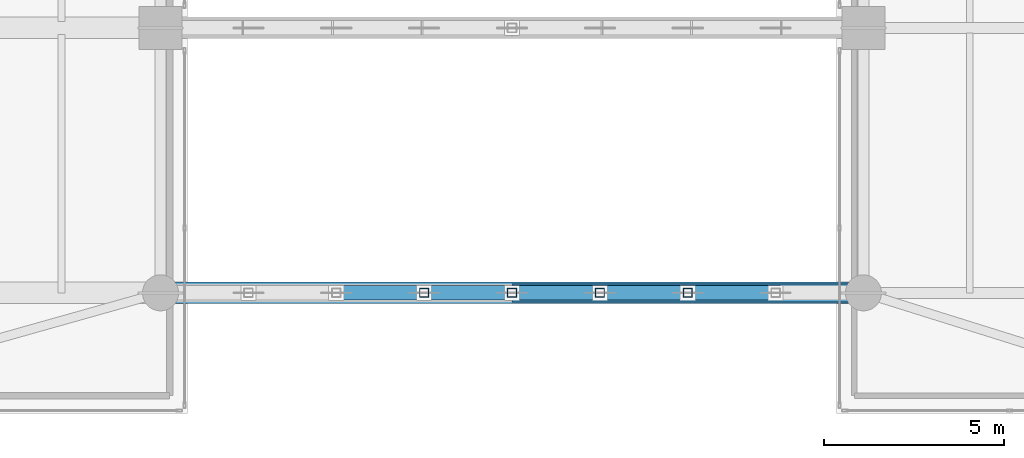
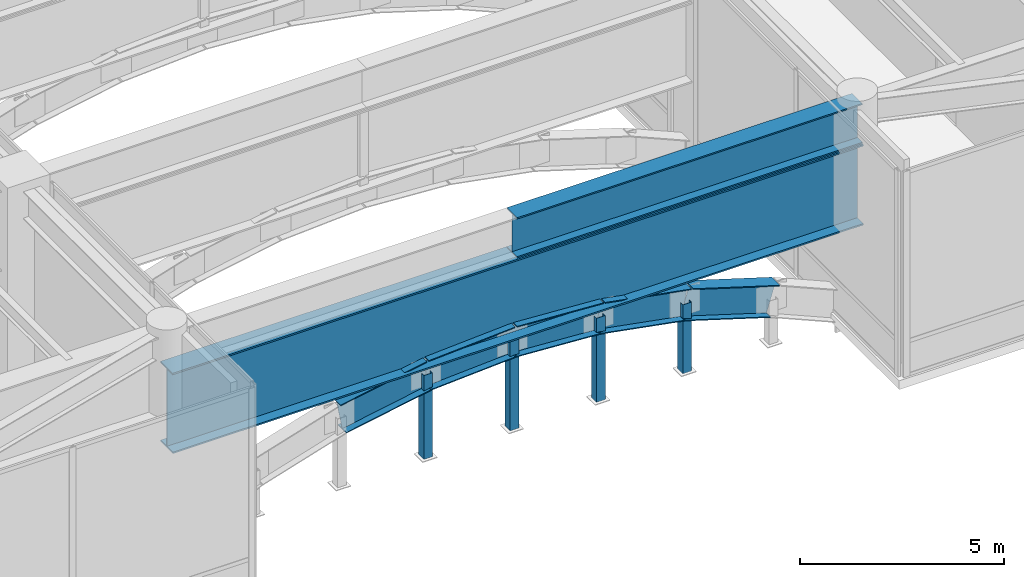
# One storey, part 17 of 50: 7 beams, 4 members.
"""IFC4 building model written with IfcOpenShell, lengths in metres."""

from ifc_helpers import new_model, si_unit, direction, frame, origin, origin_2d, place, context, subcontext, project, spatial, hollow_rectangle, i_section, extrude, source, transform, mapped, material, material_profile, profile_set, type_object, type_shapes, element, save


model = new_model("IFC4")

# Units and contexts
model_context = context("Model", 3, precision=1e-05, world=origin(), true_north=direction((0.0, 1.0)))
body_context = subcontext(model_context, "Body", "Model", "MODEL_VIEW")
ifc_project = project(units=[si_unit("LENGTHUNIT", "METRE"), si_unit("AREAUNIT", "SQUARE_METRE"), si_unit("VOLUMEUNIT", "CUBIC_METRE"), si_unit("PLANEANGLEUNIT", "RADIAN"), si_unit("MASSUNIT", "GRAM", prefix="KILO")], contexts=[model_context])

# Site, building, storey
site_placement = place(None, origin())
site = spatial("IfcSite", under=ifc_project, at=site_placement, CompositionType="ELEMENT")
building_placement = place(site_placement, origin())
building = spatial("IfcBuilding", under=site, at=building_placement, Name="Tolvann Quenvar Hotel", CompositionType="ELEMENT")
storey_placement = place(building_placement, frame((0.0, 0.0, 16.0)))
storey = spatial("IfcBuildingStorey", under=building, at=storey_placement, Name="L03", CompositionType="ELEMENT", Elevation=16.0)

# Beams
ifc_material_1 = material(Name="Steel Grade 350", Category="steel")
ifc_material_profile_1 = material_profile(ifc_material_1, i_section(OverallWidth=0.5, OverallDepth=1.199951171875, WebThickness=0.01611328125, FlangeThickness=0.0400390625, at=origin_2d()), Name="1200WB455")
ifc_profile_set_1 = profile_set([ifc_material_profile_1], Name="Steel Grade 350")
beam_type_1 = type_object("IfcBeamType", Name="BM_TG_1200WB455", PredefinedType="USERDEFINED", material=ifc_profile_set_1)
shared_shape_1 = source(origin(), body_context, "Body", "SweptSolid", [
    extrude(i_section(OverallWidth=0.5, OverallDepth=1.199951171875, WebThickness=0.01611328125, FlangeThickness=0.0400390625, at=origin_2d()), origin(), (0.0, 0.0, 1.0), 9.75),
])
type_shapes(beam_type_1, [shared_shape_1])
beam_1_placement = place(storey_placement, frame((28.5, 0.85009765625, 5.5400390625), z_axis=(1.0, 0.0, 0.0), x_axis=(0.0, 1.0, 0.0)))
element("IfcBeam", 1, at=beam_1_placement, inside=storey, type_object=beam_type_1, Name="TG-AUTO2-L03-PARCHS-1", ObjectType="TRANSFER GIRDER", PredefinedType="USERDEFINED", context=body_context, shape_type="MappedRepresentation", body=[
    mapped(shared_shape_1, transform((0.0, 0.0, 0.0), x_axis=(1.0, 0.0, 0.0), y_axis=(0.0, 1.0, 0.0), z_axis=(0.0, 0.0, 1.0), scale=1.0)),
])
ifc_material_profile_2 = material_profile(ifc_material_1, i_section(OverallWidth=0.60009765625, OverallDepth=2.39990234375, WebThickness=0.02001953125, FlangeThickness=0.044921875, at=origin_2d()), Name="2400WB655")
ifc_profile_set_2 = profile_set([ifc_material_profile_2], Name="Steel Grade 350")
beam_type_2 = type_object("IfcBeamType", Name="BM_TG_2400WB655", PredefinedType="USERDEFINED", material=ifc_profile_set_2)
shared_shape_2 = source(origin(), body_context, "Body", "SweptSolid", [
    extrude(i_section(OverallWidth=0.60009765625, OverallDepth=2.39990234375, WebThickness=0.02001953125, FlangeThickness=0.044921875, at=origin_2d()), origin(), (0.0, 0.0, 1.0), 19.5),
])
type_shapes(beam_type_2, [shared_shape_2])
beam_2_placement = place(storey_placement, frame((18.75, 0.85009765625, 3.739990234375), z_axis=(1.0, 0.0, 0.0), x_axis=(0.0, 1.0, 0.0)))
element("IfcBeam", 2, at=beam_2_placement, inside=storey, type_object=beam_type_2, Name="BM-L03-ACAR-1", ObjectType="TRANSFER GIRDER", PredefinedType="USERDEFINED", context=body_context, shape_type="MappedRepresentation", body=[
    mapped(shared_shape_2, transform((0.0, 0.0, 0.0), x_axis=(1.0, 0.0, 0.0), y_axis=(0.0, 1.0, 0.0), z_axis=(0.0, 0.0, 1.0), scale=1.0)),
])
ifc_material_profile_3 = material_profile(ifc_material_1, i_section(OverallWidth=0.39990234375, OverallDepth=0.916015625, WebThickness=0.011962890625, FlangeThickness=0.028076171875, at=origin_2d()), Name="900WB257")
ifc_profile_set_3 = profile_set([ifc_material_profile_3], Name="Steel Grade 350")
beam_type_3 = type_object("IfcBeamType", Name="BM_ARCH_900WB257", PredefinedType="USERDEFINED", material=ifc_profile_set_3)
shared_shape_3 = source(origin(), body_context, "Body", "SweptSolid", [
    extrude(i_section(OverallWidth=0.39990234375, OverallDepth=0.916015625, WebThickness=0.011962890625, FlangeThickness=0.028076171875, at=origin_2d()), origin(), (0.0, 0.0, 1.0), 2.55029296875),
])
beam_3_placement = place(storey_placement, frame((33.375, 0.85009765625, 1.800048828125), z_axis=(0.955779008722, 0.0, -0.294085848838), x_axis=(0.0, 1.0, 0.0)))
element("IfcBeam", 3, at=beam_3_placement, inside=storey, type_object=beam_type_3, Name="Podium Parabolic Arch Rib F1-S7", ObjectType="ARCH RIB", PredefinedType="USERDEFINED", context=body_context, shape_type="MappedRepresentation", body=[
    mapped(shared_shape_3, transform((0.0, 0.0, 0.0), x_axis=(1.0, 0.0, 0.0), y_axis=(0.0, 1.0, 0.0), z_axis=(0.0, 0.0, 1.0), scale=1.0)),
])
shared_shape_4 = source(origin(), body_context, "Body", "SweptSolid", [
    extrude(i_section(OverallWidth=0.39990234375, OverallDepth=0.916015625, WebThickness=0.011962890625, FlangeThickness=0.028076171875, at=origin_2d()), origin(), (0.0, 0.0, 1.0), 2.478759765625),
])
for number, where, z_axis, x_axis, name in (
    (4, (23.625, 0.85009765625, 1.800048828125), (0.983385697118, 0.0, 0.181528429466), (0.0, 1.0, 0.0), "Podium Parabolic Arch Rib F1-S3"),
    (5, (30.9375, 0.85009765625, 2.25), (0.983385697118, 0.0, -0.181528429466), (0.0, 1.0, 0.0), "Podium Parabolic Arch Rib F1-S6"),
):
    element("IfcBeam", number, at=place(storey_placement, frame(where, z_axis=z_axis, x_axis=x_axis)), inside=storey, type_object=beam_type_3, Name=name, ObjectType="ARCH RIB", PredefinedType="USERDEFINED", context=body_context, shape_type="MappedRepresentation", body=[
        mapped(shared_shape_4, transform((0.0, 0.0, 0.0), x_axis=(1.0, 0.0, 0.0), y_axis=(0.0, 1.0, 0.0), z_axis=(0.0, 0.0, 1.0), scale=1.0)),
    ])
shared_shape_5 = source(origin(), body_context, "Body", "SweptSolid", [
    extrude(i_section(OverallWidth=0.39990234375, OverallDepth=0.916015625, WebThickness=0.011962890625, FlangeThickness=0.028076171875, at=origin_2d()), origin(), (0.0, 0.0, 1.0), 2.442138671875),
])
type_shapes(beam_type_3, [shared_shape_3, shared_shape_4, shared_shape_5])
for number, where, z_axis, x_axis, name in (
    (6, (26.0625, 0.85009765625, 2.25), (0.998114320678, 0.0, 0.06138243118), (0.0, 1.0, 0.0), "Podium Parabolic Arch Rib F1-S4"),
    (7, (28.5, 0.85009765625, 2.39990234375), (0.998114320678, 0.0, -0.06138243118), (0.0, 1.0, 0.0), "Podium Parabolic Arch Rib F1-S5"),
):
    element("IfcBeam", number, at=place(storey_placement, frame(where, z_axis=z_axis, x_axis=x_axis)), inside=storey, type_object=beam_type_3, Name=name, ObjectType="ARCH RIB", PredefinedType="USERDEFINED", context=body_context, shape_type="MappedRepresentation", body=[
        mapped(shared_shape_5, transform((0.0, 0.0, 0.0), x_axis=(1.0, 0.0, 0.0), y_axis=(0.0, 1.0, 0.0), z_axis=(0.0, 0.0, 1.0), scale=1.0)),
    ])

# Members
ifc_material_2 = material(Name="Steel Grade 450 (C450L0)", Category="steel")
ifc_material_profile_4 = material_profile(ifc_material_2, hollow_rectangle(XDim=0.25, YDim=0.25, WallThickness=0.010009765625, at=origin_2d()), Name="250x250x10SHS")
ifc_profile_set_4 = profile_set([ifc_material_profile_4], Name="Steel Grade 450 (C450L0)")
member_type = type_object("IfcMemberType", Name="MEM_POST_250SHS", PredefinedType="POST", material=ifc_profile_set_4)
shared_shape_6 = source(origin(), body_context, "Body", "SweptSolid", [
    extrude(hollow_rectangle(XDim=0.25, YDim=0.25, WallThickness=0.010009765625, at=origin_2d()), origin(), (0.0, 0.0, 1.0), 2.06005859375),
])
member_1_placement = place(storey_placement, frame((33.375, 0.85009765625, -0.260009765625), z_axis=(0.0, 0.0, 1.0), x_axis=(1.0, 0.0, 0.0)))
element("IfcMember", 8, at=member_1_placement, inside=storey, type_object=member_type, Name="Arch Spandrel Pedestal Post F1-B6", PredefinedType="POST", context=body_context, shape_type="MappedRepresentation", body=[
    mapped(shared_shape_6, transform((0.0, 0.0, 0.0), x_axis=(1.0, 0.0, 0.0), y_axis=(0.0, 1.0, 0.0), z_axis=(0.0, 0.0, 1.0), scale=1.0)),
])
shared_shape_7 = source(origin(), body_context, "Body", "SweptSolid", [
    extrude(hollow_rectangle(XDim=0.25, YDim=0.25, WallThickness=0.010009765625, at=origin_2d()), origin(), (0.0, 0.0, 1.0), 2.510009765625),
])
for number, where, z_axis, x_axis, name in (
    (9, (26.0625, 0.85009765625, -0.260009765625), (0.0, 0.0, 1.0), (1.0, 0.0, 0.0), "Arch Spandrel Pedestal Post F1-B3"),
    (10, (30.9375, 0.85009765625, -0.260009765625), (0.0, 0.0, 1.0), (1.0, 0.0, 0.0), "Arch Spandrel Pedestal Post F1-B5"),
):
    element("IfcMember", number, at=place(storey_placement, frame(where, z_axis=z_axis, x_axis=x_axis)), inside=storey, type_object=member_type, Name=name, PredefinedType="POST", context=body_context, shape_type="MappedRepresentation", body=[
        mapped(shared_shape_7, transform((0.0, 0.0, 0.0), x_axis=(1.0, 0.0, 0.0), y_axis=(0.0, 1.0, 0.0), z_axis=(0.0, 0.0, 1.0), scale=1.0)),
    ])
shared_shape_8 = source(origin(), body_context, "Body", "SweptSolid", [
    extrude(hollow_rectangle(XDim=0.25, YDim=0.25, WallThickness=0.010009765625, at=origin_2d()), origin(), (0.0, 0.0, 1.0), 2.659912109375),
])
type_shapes(member_type, [shared_shape_6, shared_shape_7, shared_shape_8])
member_2_placement = place(storey_placement, frame((28.5, 0.85009765625, -0.260009765625), z_axis=(0.0, 0.0, 1.0), x_axis=(1.0, 0.0, 0.0)))
element("IfcMember", 11, at=member_2_placement, inside=storey, type_object=member_type, Name="Arch Spandrel Pedestal Post F1-B4", PredefinedType="POST", context=body_context, shape_type="MappedRepresentation", body=[
    mapped(shared_shape_8, transform((0.0, 0.0, 0.0), x_axis=(1.0, 0.0, 0.0), y_axis=(0.0, 1.0, 0.0), z_axis=(0.0, 0.0, 1.0), scale=1.0)),
])

save(model, "model.ifc")
